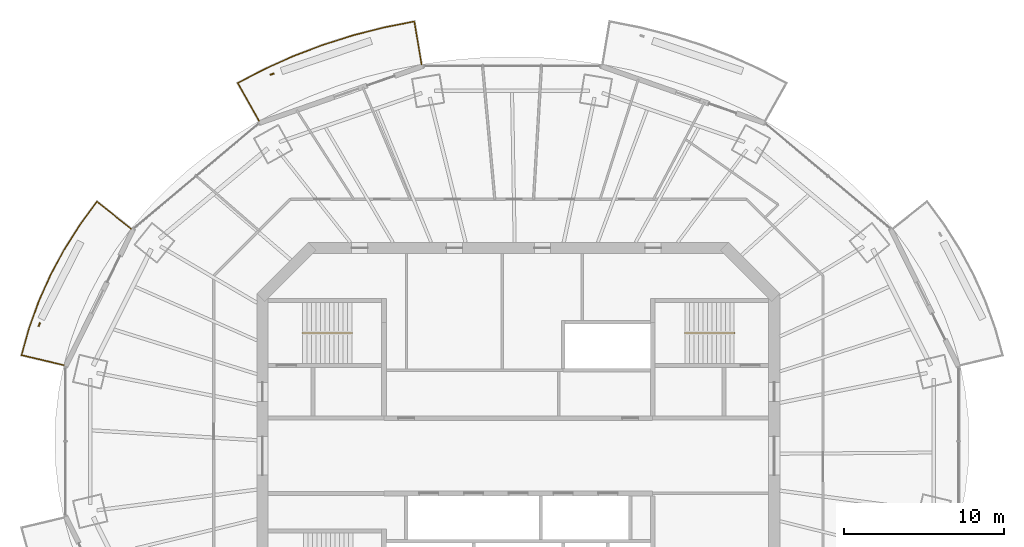
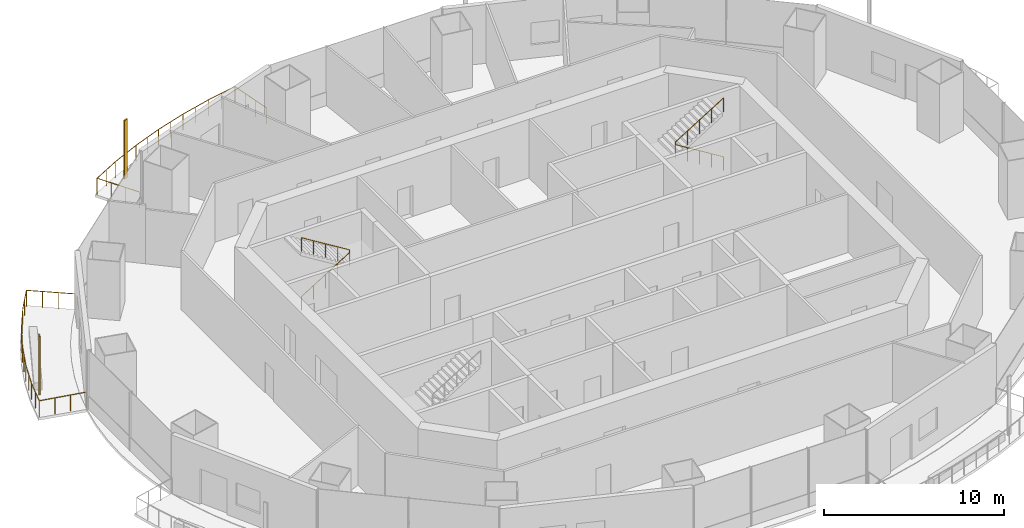
# One storey, part 14 of 16: 4 railings, 2 shading devices.
"""IFC4 building model written with IfcOpenShell, lengths in metres."""

from ifc_helpers import new_model, si_unit, direction, frame, origin, origin_2d, place, context, subcontext, project, spatial, rectangle, circle, extrude, material, material_profile, profile_set, type_object, element, save


model = new_model("IFC4")

# Units and contexts
model_context = context("Model", 3, precision=1e-05, world=origin(), true_north=direction((0.0, 1.0)))
body_context = subcontext(model_context, "Body", "Model", "MODEL_VIEW")
ifc_project = project(units=[si_unit("LENGTHUNIT", "METRE"), si_unit("AREAUNIT", "SQUARE_METRE"), si_unit("VOLUMEUNIT", "CUBIC_METRE"), si_unit("PLANEANGLEUNIT", "RADIAN"), si_unit("MASSUNIT", "GRAM", prefix="KILO")], contexts=[model_context])

# Site, building, storey
site_placement = place(None, origin())
site = spatial("IfcSite", under=ifc_project, at=site_placement, CompositionType="ELEMENT")
building_placement = place(site_placement, origin())
building = spatial("IfcBuilding", under=site, at=building_placement, Name="Marenthal Gate Tower", CompositionType="ELEMENT")
storey_placement = place(building_placement, frame((0.0, 0.0, 305.25)))
storey = spatial("IfcBuildingStorey", under=building, at=storey_placement, Name="L68", CompositionType="ELEMENT", Elevation=305.25)

# Railings
ifc_material_1 = material(Name="Stainless steel", Category="steel")
railing_type_1 = type_object("IfcRailingType", Name="Balcony guard 1100", PredefinedType="GUARDRAIL", material=ifc_material_1)
railing_1_placement = place(storey_placement, frame((-16.21728515625, 20.942626953125, 0.0)))
element("IfcRailing", 1, at=railing_1_placement, inside=storey, type_object=railing_type_1, Name="Balcony guard L68 bay 5", PredefinedType="GUARDRAIL", context=body_context, shape_type="SweptSolid", body=[
    extrude(circle(Radius=0.02392578125, at=origin_2d()), frame((0.0, 0.0, 1.076171875), z_axis=(-0.490352997795, 0.87139963554, -0.014717769334), x_axis=(-0.871494029004, -0.490406114776, 0.0)), (0.0, 0.0, 1.0), 2.720458984375),
    extrude(circle(Radius=0.02392578125, at=origin_2d()), frame((-1.333984375, 2.37060546875, 1.0361328125), z_axis=(0.886700798457, 0.462343696848, 0.0), x_axis=(-0.462343696848, 0.886700798457, 0.0)), (0.0, 0.0, 1.0), 1.876708984375),
    extrude(circle(Radius=0.02392578125, at=origin_2d()), frame((0.330078125, 3.23828125, 1.0361328125), z_axis=(0.911972518318, 0.410251295955, 0.0), x_axis=(-0.410251295955, 0.911972518318, 0.0)), (0.0, 0.0, 1.0), 1.9697265625),
    extrude(circle(Radius=0.02392578125, at=origin_2d()), frame((2.12646484375, 4.04638671875, 1.0361328125), z_axis=(0.934386218754, 0.356261693426, 0.0), x_axis=(-0.356261693426, 0.934386218754, 0.0)), (0.0, 0.0, 1.0), 1.98193359375),
    extrude(circle(Radius=0.02392578125, at=origin_2d()), frame((3.978271484375, 4.75244140625, 1.0361328125), z_axis=(0.95337689514, 0.301782199297, 0.0), x_axis=(-0.301782199297, 0.95337689514, 0.0)), (0.0, 0.0, 1.0), 1.99267578125),
    extrude(circle(Radius=0.02392578125, at=origin_2d()), frame((5.8779296875, 5.353759765625, 1.0361328125), z_axis=(0.968925174526, 0.247354009811, 0.0), x_axis=(-0.247354009811, 0.968925174526, 0.0)), (0.0, 0.0, 1.0), 2.001708984375),
    extrude(circle(Radius=0.02392578125, at=origin_2d()), frame((7.8173828125, 5.848876953125, 1.0361328125), z_axis=(0.98107877251, 0.193608992898, 0.0), x_axis=(-0.193608992898, 0.98107877251, 0.0)), (0.0, 0.0, 1.0), 1.929443359375),
    extrude(circle(Radius=0.02392578125, at=origin_2d()), frame((9.710205078125, 6.222412109375, 1.0361328125), z_axis=(0.165225230724, -0.986146026723, 0.014718597414), x_axis=(0.986252861995, 0.165243130591, 0.0)), (0.0, 0.0, 1.0), 2.72021484375),
    extrude(circle(Radius=0.02099609375, at=origin_2d()), origin(), (0.0, 0.0, 1.0), 1.052001953125),
    extrude(circle(Radius=0.02099609375, at=origin_2d()), frame((-0.444580078125, 0.790283203125, -0.013427734375)), (0.0, 0.0, 1.0), 1.052001953125),
    extrude(circle(Radius=0.02099609375, at=origin_2d()), frame((-0.889404296875, 1.580322265625, -0.026611328125)), (0.0, 0.0, 1.0), 1.052001953125),
    extrude(circle(Radius=0.02099609375, at=origin_2d()), frame((-1.333984375, 2.37060546875, -0.0400390625)), (0.0, 0.0, 1.0), 1.052001953125),
    extrude(circle(Radius=0.02099609375, at=origin_2d()), frame((-0.501953125, 2.804443359375, -0.0400390625)), (0.0, 0.0, 1.0), 1.052001953125),
    extrude(circle(Radius=0.02099609375, at=origin_2d()), frame((0.330078125, 3.23828125, -0.0400390625)), (0.0, 0.0, 1.0), 1.052001953125),
    extrude(circle(Radius=0.02099609375, at=origin_2d()), frame((1.228271484375, 3.642333984375, -0.0400390625)), (0.0, 0.0, 1.0), 1.052001953125),
    extrude(circle(Radius=0.02099609375, at=origin_2d()), frame((2.12646484375, 4.04638671875, -0.0400390625)), (0.0, 0.0, 1.0), 1.052001953125),
    extrude(circle(Radius=0.02099609375, at=origin_2d()), frame((3.05224609375, 4.3994140625, -0.0400390625)), (0.0, 0.0, 1.0), 1.052001953125),
    extrude(circle(Radius=0.02099609375, at=origin_2d()), frame((3.978271484375, 4.75244140625, -0.0400390625)), (0.0, 0.0, 1.0), 1.052001953125),
    extrude(circle(Radius=0.02099609375, at=origin_2d()), frame((4.92822265625, 5.05322265625, -0.0400390625)), (0.0, 0.0, 1.0), 1.052001953125),
    extrude(circle(Radius=0.02099609375, at=origin_2d()), frame((5.8779296875, 5.353759765625, -0.0400390625)), (0.0, 0.0, 1.0), 1.052001953125),
    extrude(circle(Radius=0.02099609375, at=origin_2d()), frame((6.84765625, 5.601318359375, -0.0400390625)), (0.0, 0.0, 1.0), 1.052001953125),
    extrude(circle(Radius=0.02099609375, at=origin_2d()), frame((7.8173828125, 5.848876953125, -0.0400390625)), (0.0, 0.0, 1.0), 1.052001953125),
    extrude(circle(Radius=0.02099609375, at=origin_2d()), frame((8.763671875, 6.03564453125, -0.0400390625)), (0.0, 0.0, 1.0), 1.052001953125),
    extrude(circle(Radius=0.02099609375, at=origin_2d()), frame((9.710205078125, 6.222412109375, -0.0400390625)), (0.0, 0.0, 1.0), 1.052001953125),
    extrude(circle(Radius=0.02099609375, at=origin_2d()), frame((9.860107421875, 5.328125, -0.026611328125)), (0.0, 0.0, 1.0), 1.052001953125),
    extrude(circle(Radius=0.02099609375, at=origin_2d()), frame((10.009765625, 4.43408203125, -0.013427734375)), (0.0, 0.0, 1.0), 1.052001953125),
    extrude(circle(Radius=0.02099609375, at=origin_2d()), frame((10.15966796875, 3.539794921875, 0.0)), (0.0, 0.0, 1.0), 1.052001953125),
])
railing_2_placement = place(storey_placement, frame((-28.427978515625, 5.67138671875, 0.0)))
element("IfcRailing", 2, at=railing_2_placement, inside=storey, type_object=railing_type_1, Name="Balcony guard L68 bay 7", PredefinedType="GUARDRAIL", context=body_context, shape_type="SweptSolid", body=[
    extrude(circle(Radius=0.02392578125, at=origin_2d()), frame((0.0, 0.0, 1.076171875), z_axis=(-0.973117172157, 0.229839811666, -0.014718363574), x_axis=(-0.229864710837, -0.973222592582, 0.0)), (0.0, 0.0, 1.0), 2.720458984375),
    extrude(circle(Radius=0.02392578125, at=origin_2d()), frame((-2.647216796875, 0.625244140625, 1.0361328125), z_axis=(0.268728447288, 0.963215978698, 0.0), x_axis=(-0.963215978698, 0.268728447288, 0.0)), (0.0, 0.0, 1.0), 1.718017578125),
    extrude(circle(Radius=0.02392578125, at=origin_2d()), frame((-2.185546875, 2.280029296875, 1.0361328125), z_axis=(0.33909288178, 0.940752899292, 0.0), x_axis=(-0.940752899292, 0.33909288178, 0.0)), (0.0, 0.0, 1.0), 1.8056640625),
    extrude(circle(Radius=0.02392578125, at=origin_2d()), frame((-1.5732421875, 3.978759765625, 1.0361328125), z_axis=(0.408333619035, 0.912832764292, 0.0), x_axis=(-0.912832764292, 0.408333619035, 0.0)), (0.0, 0.0, 1.0), 1.815185546875),
    extrude(circle(Radius=0.02392578125, at=origin_2d()), frame((-0.83203125, 5.6357421875, 1.0361328125), z_axis=(0.474067933151, 0.880488270653, 0.0), x_axis=(-0.880488270653, 0.474067933151, 0.0)), (0.0, 0.0, 1.0), 1.826171875),
    extrude(circle(Radius=0.02392578125, at=origin_2d()), frame((0.03369140625, 7.24365234375, 1.0361328125), z_axis=(0.536179368299, 0.844104072381, 0.0), x_axis=(-0.844104072381, 0.536179368299, 0.0)), (0.0, 0.0, 1.0), 1.838623046875),
    extrude(circle(Radius=0.02392578125, at=origin_2d()), frame((1.01953125, 8.795654296875, 1.0361328125), z_axis=(0.593189639739, 0.80506276234, 0.0), x_axis=(-0.80506276234, 0.593189639739, 0.0)), (0.0, 0.0, 1.0), 1.772216796875),
    extrude(circle(Radius=0.02392578125, at=origin_2d()), frame((2.07080078125, 10.222412109375, 1.0361328125), z_axis=(0.783299764569, -0.621469871648, 0.014719968075), x_axis=(0.621537211848, 0.783384640064, 0.0)), (0.0, 0.0, 1.0), 2.719970703125),
    extrude(circle(Radius=0.02099609375, at=origin_2d()), origin(), (0.0, 0.0, 1.0), 1.052001953125),
    extrude(circle(Radius=0.02099609375, at=origin_2d()), frame((-0.88232421875, 0.20849609375, -0.013427734375)), (0.0, 0.0, 1.0), 1.052001953125),
    extrude(circle(Radius=0.02099609375, at=origin_2d()), frame((-1.764892578125, 0.416748046875, -0.026611328125)), (0.0, 0.0, 1.0), 1.052001953125),
    extrude(circle(Radius=0.02099609375, at=origin_2d()), frame((-2.647216796875, 0.625244140625, -0.0400390625)), (0.0, 0.0, 1.0), 1.052001953125),
    extrude(circle(Radius=0.02099609375, at=origin_2d()), frame((-2.41650390625, 1.45263671875, -0.0400390625)), (0.0, 0.0, 1.0), 1.052001953125),
    extrude(circle(Radius=0.02099609375, at=origin_2d()), frame((-2.185546875, 2.280029296875, -0.0400390625)), (0.0, 0.0, 1.0), 1.052001953125),
    extrude(circle(Radius=0.02099609375, at=origin_2d()), frame((-1.87939453125, 3.12939453125, -0.0400390625)), (0.0, 0.0, 1.0), 1.052001953125),
    extrude(circle(Radius=0.02099609375, at=origin_2d()), frame((-1.5732421875, 3.978759765625, -0.0400390625)), (0.0, 0.0, 1.0), 1.052001953125),
    extrude(circle(Radius=0.02099609375, at=origin_2d()), frame((-1.20263671875, 4.80712890625, -0.0400390625)), (0.0, 0.0, 1.0), 1.052001953125),
    extrude(circle(Radius=0.02099609375, at=origin_2d()), frame((-0.83203125, 5.6357421875, -0.0400390625)), (0.0, 0.0, 1.0), 1.052001953125),
    extrude(circle(Radius=0.02099609375, at=origin_2d()), frame((-0.399169921875, 6.439697265625, -0.0400390625)), (0.0, 0.0, 1.0), 1.052001953125),
    extrude(circle(Radius=0.02099609375, at=origin_2d()), frame((0.03369140625, 7.24365234375, -0.0400390625)), (0.0, 0.0, 1.0), 1.052001953125),
    extrude(circle(Radius=0.02099609375, at=origin_2d()), frame((0.526611328125, 8.01953125, -0.0400390625)), (0.0, 0.0, 1.0), 1.052001953125),
    extrude(circle(Radius=0.02099609375, at=origin_2d()), frame((1.01953125, 8.795654296875, -0.0400390625)), (0.0, 0.0, 1.0), 1.052001953125),
    extrude(circle(Radius=0.02099609375, at=origin_2d()), frame((1.545166015625, 9.509033203125, -0.0400390625)), (0.0, 0.0, 1.0), 1.052001953125),
    extrude(circle(Radius=0.02099609375, at=origin_2d()), frame((2.07080078125, 10.222412109375, -0.0400390625)), (0.0, 0.0, 1.0), 1.052001953125),
    extrude(circle(Radius=0.02099609375, at=origin_2d()), frame((2.781005859375, 9.658935546875, -0.026611328125)), (0.0, 0.0, 1.0), 1.052001953125),
    extrude(circle(Radius=0.02099609375, at=origin_2d()), frame((3.4912109375, 9.095458984375, -0.013427734375)), (0.0, 0.0, 1.0), 1.052001953125),
    extrude(circle(Radius=0.02099609375, at=origin_2d()), frame((4.201416015625, 8.531982421875, 0.0)), (0.0, 0.0, 1.0), 1.052001953125),
])
ifc_material_2 = material(Name="Stainless steel", Category="steel")
railing_type_2 = type_object("IfcRailingType", Name="Stair handrail", PredefinedType="HANDRAIL", material=ifc_material_2)
railing_3_placement = place(storey_placement, frame((-13.5, 7.675048828125, 0.1728515625)))
element("IfcRailing", 3, at=railing_3_placement, inside=storey, type_object=railing_type_2, Name="Handrail ST1", PredefinedType="HANDRAIL", context=body_context, shape_type="SweptSolid", body=[
    extrude(circle(Radius=0.0224609375, at=origin_2d()), frame((0.0, 0.0, 0.927490234375), z_axis=(0.850835241893, 0.0, 0.525432575268), x_axis=(0.0, 1.0, 0.0)), (0.0, 0.0, 1.0), 3.6201171875),
    extrude(circle(Radius=0.0224609375, at=origin_2d()), frame((3.080078125, 0.0, 2.82958984375), z_axis=(0.0, 0.0, 1.0), x_axis=(1.0, 0.0, 0.0)), (0.0, 0.0, 1.0), 0.1728515625),
    extrude(circle(Radius=0.0224609375, at=origin_2d()), frame((3.080078125, 0.0, 3.00244140625), z_axis=(-0.850835241893, 0.0, 0.525432575268), x_axis=(0.0, -1.0, 0.0)), (0.0, 0.0, 1.0), 3.6201171875),
    extrude(circle(Radius=0.02001953125, at=origin_2d()), origin(), (0.0, 0.0, 1.0), 0.905029296875),
    extrude(circle(Radius=0.02001953125, at=origin_2d()), frame((0.77001953125, 0.0, 0.4755859375)), (0.0, 0.0, 1.0), 0.905029296875),
    extrude(circle(Radius=0.02001953125, at=origin_2d()), frame((1.5400390625, 0.0, 0.951171875)), (0.0, 0.0, 1.0), 0.905029296875),
    extrude(circle(Radius=0.02001953125, at=origin_2d()), frame((2.31005859375, 0.0, 1.426513671875)), (0.0, 0.0, 1.0), 0.905029296875),
    extrude(circle(Radius=0.02001953125, at=origin_2d()), frame((3.080078125, 0.0, 1.902099609375)), (0.0, 0.0, 1.0), 0.905029296875),
    extrude(circle(Radius=0.02001953125, at=origin_2d()), frame((3.080078125, 0.0, 2.074951171875)), (0.0, 0.0, 1.0), 0.905029296875),
    extrude(circle(Radius=0.02001953125, at=origin_2d()), frame((2.31005859375, 0.0, 2.550537109375)), (0.0, 0.0, 1.0), 0.905029296875),
    extrude(circle(Radius=0.02001953125, at=origin_2d()), frame((1.5400390625, 0.0, 3.02587890625)), (0.0, 0.0, 1.0), 0.905029296875),
    extrude(circle(Radius=0.02001953125, at=origin_2d()), frame((0.77001953125, 0.0, 3.50146484375)), (0.0, 0.0, 1.0), 0.905029296875),
    extrude(circle(Radius=0.02001953125, at=origin_2d()), frame((0.0, 0.0, 3.97705078125)), (0.0, 0.0, 1.0), 0.905029296875),
])
railing_4_placement = place(storey_placement, frame((13.5, 7.675048828125, 0.1728515625)))
element("IfcRailing", 4, at=railing_4_placement, inside=storey, type_object=railing_type_2, Name="Handrail ST3", PredefinedType="HANDRAIL", context=body_context, shape_type="SweptSolid", body=[
    extrude(circle(Radius=0.0224609375, at=origin_2d()), frame((0.0, 0.0, 0.927490234375), z_axis=(-0.850835241893, 0.0, 0.525432575268), x_axis=(0.0, -1.0, 0.0)), (0.0, 0.0, 1.0), 3.6201171875),
    extrude(circle(Radius=0.0224609375, at=origin_2d()), frame((-3.080078125, 0.0, 2.82958984375), z_axis=(0.0, 0.0, 1.0), x_axis=(1.0, 0.0, 0.0)), (0.0, 0.0, 1.0), 0.1728515625),
    extrude(circle(Radius=0.0224609375, at=origin_2d()), frame((-3.080078125, 0.0, 3.00244140625), z_axis=(0.850835241893, 0.0, 0.525432575268), x_axis=(0.0, 1.0, 0.0)), (0.0, 0.0, 1.0), 3.6201171875),
    extrude(circle(Radius=0.02001953125, at=origin_2d()), origin(), (0.0, 0.0, 1.0), 0.905029296875),
    extrude(circle(Radius=0.02001953125, at=origin_2d()), frame((-0.77001953125, 0.0, 0.4755859375)), (0.0, 0.0, 1.0), 0.905029296875),
    extrude(circle(Radius=0.02001953125, at=origin_2d()), frame((-1.5400390625, 0.0, 0.951171875)), (0.0, 0.0, 1.0), 0.905029296875),
    extrude(circle(Radius=0.02001953125, at=origin_2d()), frame((-2.31005859375, 0.0, 1.426513671875)), (0.0, 0.0, 1.0), 0.905029296875),
    extrude(circle(Radius=0.02001953125, at=origin_2d()), frame((-3.080078125, 0.0, 1.902099609375)), (0.0, 0.0, 1.0), 0.905029296875),
    extrude(circle(Radius=0.02001953125, at=origin_2d()), frame((-3.080078125, 0.0, 2.074951171875)), (0.0, 0.0, 1.0), 0.905029296875),
    extrude(circle(Radius=0.02001953125, at=origin_2d()), frame((-2.31005859375, 0.0, 2.550537109375)), (0.0, 0.0, 1.0), 0.905029296875),
    extrude(circle(Radius=0.02001953125, at=origin_2d()), frame((-1.5400390625, 0.0, 3.02587890625)), (0.0, 0.0, 1.0), 0.905029296875),
    extrude(circle(Radius=0.02001953125, at=origin_2d()), frame((-0.77001953125, 0.0, 3.50146484375)), (0.0, 0.0, 1.0), 0.905029296875),
    extrude(circle(Radius=0.02001953125, at=origin_2d()), frame((0.0, 0.0, 3.97705078125)), (0.0, 0.0, 1.0), 0.905029296875),
])

# Shading devices
ifc_material_3 = material(Name="Terracotta", Category="masonry")
ifc_material_profile = material_profile(ifc_material_3, rectangle(XDim=0.25, YDim=0.080078125, at=origin_2d()), Name="Terracotta baguette 250x80")
ifc_profile_set = profile_set([ifc_material_profile], Name="Terracotta")
shading_device_type = type_object("IfcShadingDeviceType", Name="Terracotta BAGUETTE SCREEN 250x80", PredefinedType="USERDEFINED", material=ifc_profile_set)
for number, where, z_axis, x_axis, name in (
    (5, (-15.405029296875, 23.865966796875, -0.0400390625), (0.0, 0.0, 1.0), (-0.944279584145, -0.329144446962, 0.0), "Terracotta BAGUETTE L68 bay 5R"),
    (6, (-29.961181640625, 8.2109375, -0.0400390625), (0.0, 0.0, 1.0), (-0.441623511691, -0.897200464735, 0.0), "Terracotta BAGUETTE L68 bay 7R"),
):
    element("IfcShadingDevice", number, at=place(storey_placement, frame(where, z_axis=z_axis, x_axis=x_axis)), inside=storey, type_object=shading_device_type, Name=name, ObjectType="BAGUETTE SCREEN", PredefinedType="USERDEFINED", context=body_context, shape_type="SweptSolid", body=[
        extrude(rectangle(XDim=0.25, YDim=0.080078125, at=origin_2d()), origin(), (0.0, 0.0, 1.0), 3.969970703125),
    ])

save(model, "model.ifc")
